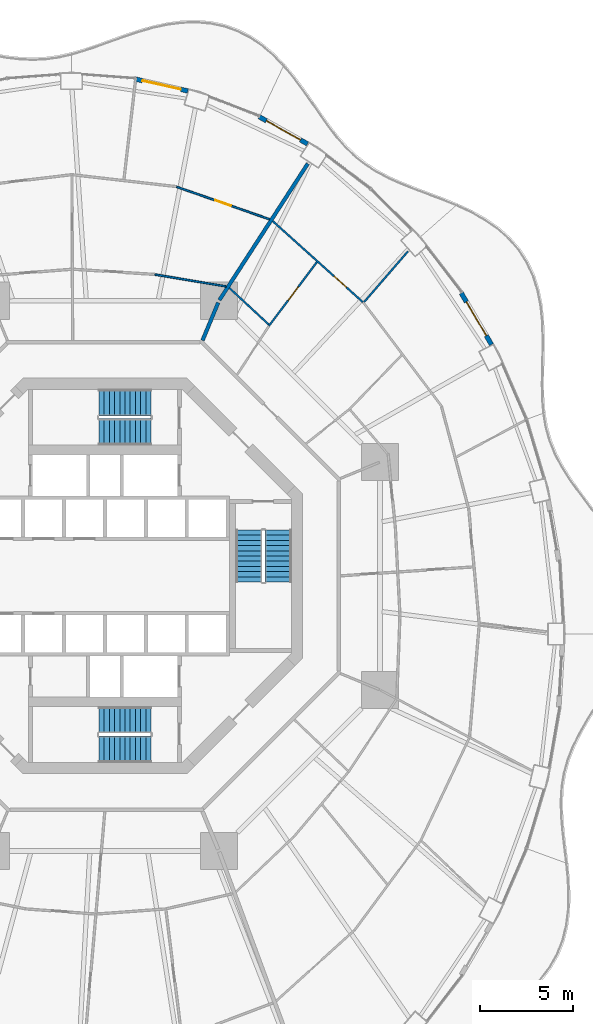
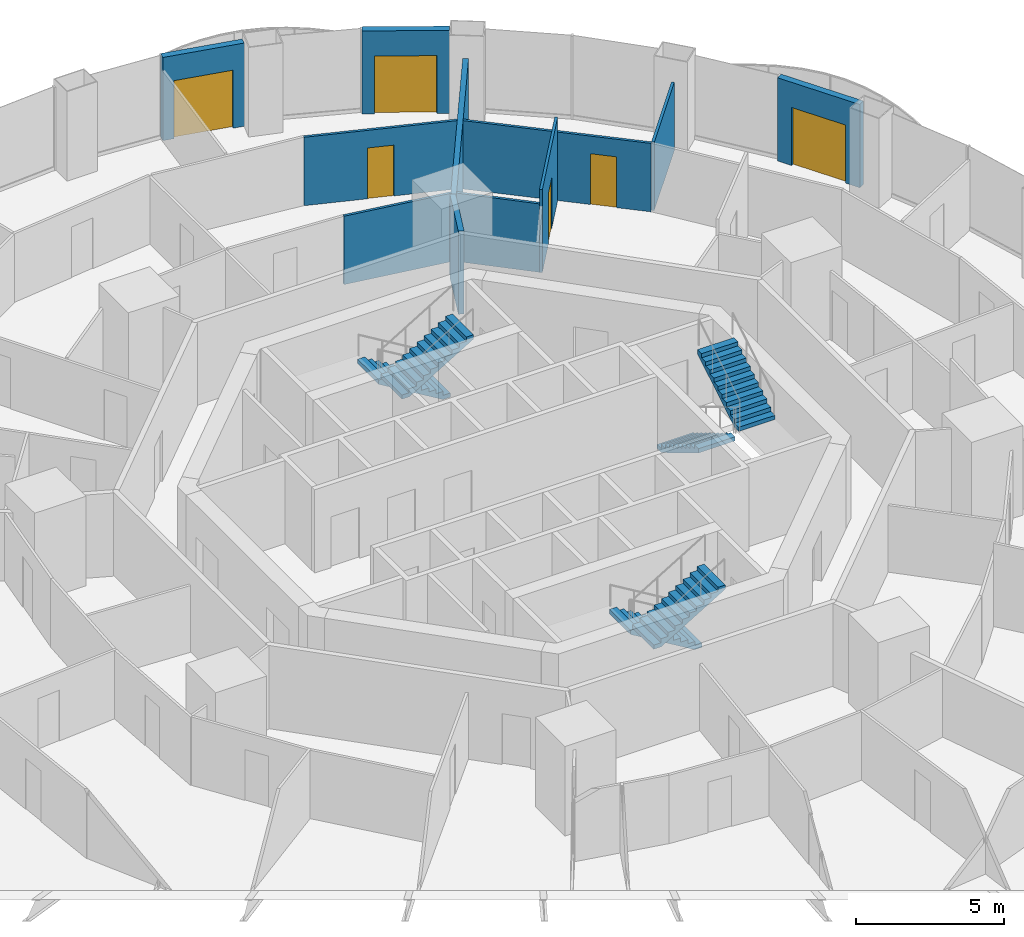
# One storey, part 17 of 20: 11 walls, 6 doors, 6 stair flights, 6 openings, 3 elements without a shape of their own.
"""IFC4 building model written with IfcOpenShell, lengths in metres."""

from ifc_helpers import new_model, si_unit, direction, frame, frame_2d, origin, place, context, subcontext, project, spatial, polyline, rectangle, outline, extrude, material, layer, layer_set, type_object, element, fill, aggregate, save


model = new_model("IFC4")

# Units and contexts
model_context = context("Model", 3, precision=1e-05, world=origin(), true_north=direction((0.0, 1.0)))
body_context = subcontext(model_context, "Body", "Model", "MODEL_VIEW")
ifc_project = project(units=[si_unit("LENGTHUNIT", "METRE"), si_unit("AREAUNIT", "SQUARE_METRE"), si_unit("VOLUMEUNIT", "CUBIC_METRE"), si_unit("PLANEANGLEUNIT", "RADIAN"), si_unit("MASSUNIT", "GRAM", prefix="KILO")], contexts=[model_context])

# Site, building, storey
site_placement = place(None, origin())
site = spatial("IfcSite", under=ifc_project, at=site_placement, CompositionType="ELEMENT")
building_placement = place(site_placement, origin())
building = spatial("IfcBuilding", under=site, at=building_placement, Name="Nagisa Residences", CompositionType="ELEMENT")
storey_placement = place(building_placement, frame((0.0, 0.0, 123.300048828125)))
storey = spatial("IfcBuildingStorey", under=building, at=storey_placement, Name="L30", CompositionType="ELEMENT", Elevation=123.300048828125)

# Walls
ifc_material_1 = material(Name="Gypsum board on steel studs", Category="steel")
ifc_layer_1 = layer(ifc_material_1, 0.199951171875)
ifc_layer_set_1 = layer_set([ifc_layer_1], Name="Apartment compartment wall EI60 200")
wall_type_1 = type_object("IfcWallType", Name="Apartment compartment wall EI60 200", PredefinedType="PARTITIONING", material=ifc_layer_set_1)
wall_1_placement = place(storey_placement, frame((5.24267578125, 12.6572265625, 0.0), z_axis=(0.0, 0.0, 1.0), x_axis=(0.38273085373, 0.923859888513, 0.0)))
element("IfcWall", 1, at=wall_1_placement, inside=storey, type_object=wall_type_1, Name="wall:L30:u00", PredefinedType="PARTITIONING", context=body_context, shape_type="SweptSolid", body=[
    extrude(rectangle(XDim=2.199462890625, YDim=0.199951171875, at=frame_2d((1.099609375, 0.0))), origin(), (0.0, 0.0, 1.0), 3.43994140625),
])
wall_2_placement = place(storey_placement, frame((6.150146484375, 14.823974609375, 0.0), z_axis=(0.0, 0.0, 1.0), x_axis=(0.543695254109, 0.839282711998, 0.0)))
element("IfcWall", 2, at=wall_2_placement, inside=storey, type_object=wall_type_1, Name="wall:L30:u01", PredefinedType="PARTITIONING", context=body_context, shape_type="SweptSolid", body=[
    extrude(rectangle(XDim=8.731201171875, YDim=0.199951171875, at=frame_2d((4.36572265625, 0.0))), origin(), (0.0, 0.0, 1.0), 2.827880859375),
])
ifc_material_2 = material(Name="Gypsum board on steel studs", Category="steel")
ifc_layer_2 = layer(ifc_material_2, 0.10009765625)
ifc_layer_set_2 = layer_set([ifc_layer_2], Name="Apartment partition 100")
wall_type_2 = type_object("IfcWallType", Name="Apartment partition 100", PredefinedType="PARTITIONING", material=ifc_layer_set_2)
wall_3_placement = place(storey_placement, frame((13.926025390625, 14.71875, 0.0), z_axis=(0.0, 0.0, 1.0), x_axis=(0.653831857253, 0.756639876323, 0.0)))
element("IfcWall", 3, at=wall_3_placement, inside=storey, type_object=wall_type_2, Name="wall:L30:u28", PredefinedType="PARTITIONING", context=body_context, shape_type="SweptSolid", body=[
    extrude(rectangle(XDim=3.59765625, YDim=0.10009765625, at=frame_2d((1.798828125, 0.0))), origin(), (0.0, 0.0, 1.0), 2.827880859375),
])

# Wall, opening, door
wall_4_placement = place(storey_placement, frame((13.856201171875, 14.71435546875, 0.0), z_axis=(0.0, 0.0, 1.0), x_axis=(-0.743799395746, 0.668402916577, 0.0)))
wall_4 = element("IfcWall", 4, at=wall_4_placement, inside=storey, type_object=wall_type_2, Name="wall:L30:u29", PredefinedType="PARTITIONING", context=body_context, shape_type="SweptSolid", body=[
    extrude(rectangle(XDim=6.508544921875, YDim=0.10009765625, at=frame_2d((3.25439453125, 0.0))), origin(), (0.0, 0.0, 1.0), 2.827880859375),
])
opening_1_placement = place(wall_4_placement, frame((1.189697265625, 0.0, 0.0)))
opening_1 = element("IfcOpeningElement", 5, at=opening_1_placement, cuts=wall_4, Name="Opening L30-U42", PredefinedType="OPENING", context=body_context, shape_type="SweptSolid", body=[
    extrude(rectangle(XDim=0.89990234375, YDim=2.10009765625, at=frame_2d((0.449951171875, 1.050048828125))), frame((0.0, 0.06005859375, 0.0), z_axis=(0.0, -1.0, 0.0), x_axis=(1.0, 0.0, 0.0)), (0.0, 0.0, 1.0), 0.1201171875),
])
ifc_material_3 = material(Name="Timber door set", Category="wood")
door_type_1 = type_object("IfcDoorType", Name="Apartment door 900x2100", OperationType="NOTDEFINED", PredefinedType="DOOR", material=ifc_material_3)
door_1_placement = place(opening_1_placement, frame((0.89990234375, 0.0, 0.0), x_axis=(-1.0, 0.0, 0.0)))
door_1 = element("IfcDoor", 6, at=door_1_placement, inside=storey, type_object=door_type_1, Name="Door to bedroom, Apartment 30C", OperationType="SINGLE_SWING_LEFT", OverallHeight=2.10009765625, OverallWidth=0.89990234375, PredefinedType="DOOR", context=body_context, shape_type="SweptSolid", body=[
    extrude(rectangle(XDim=0.89990234375, YDim=2.10009765625, at=frame_2d((0.449951171875, 1.050048828125))), frame((0.0, 0.02490234375, 0.0), z_axis=(0.0, -1.0, 0.0), x_axis=(1.0, 0.0, 0.0)), (0.0, 0.0, 1.0), 0.050048828125),
])
fill(opening_1, door_1)

wall_5_placement = place(storey_placement, frame((8.8095703125, 13.43408203125, 0.0), z_axis=(0.0, 0.0, 1.0), x_axis=(0.600491337497, 0.799631261014, 0.0)))
wall_5 = element("IfcWall", 7, at=wall_5_placement, inside=storey, type_object=wall_type_2, Name="wall:L30:u31", PredefinedType="PARTITIONING", context=body_context, shape_type="SweptSolid", body=[
    extrude(rectangle(XDim=4.292236328125, YDim=0.10009765625, at=frame_2d((2.14599609375, 0.0))), origin(), (0.0, 0.0, 1.0), 3.43994140625),
])
opening_2_placement = place(wall_5_placement, frame((1.72119140625, 0.0, 0.0)))
opening_2 = element("IfcOpeningElement", 8, at=opening_2_placement, cuts=wall_5, Name="Opening L30-U39", PredefinedType="OPENING", context=body_context, shape_type="SweptSolid", body=[
    extrude(rectangle(XDim=0.89990234375, YDim=2.10009765625, at=frame_2d((0.449951171875, 1.050048828125))), frame((0.0, 0.06005859375, 0.0), z_axis=(0.0, -1.0, 0.0), x_axis=(1.0, 0.0, 0.0)), (0.0, 0.0, 1.0), 0.1201171875),
])
door_2_placement = place(opening_2_placement, origin())
door_2 = element("IfcDoor", 9, at=door_2_placement, inside=storey, type_object=door_type_1, Name="Door to family bathroom, Apartment 30C", OperationType="SINGLE_SWING_LEFT", OverallHeight=2.10009765625, OverallWidth=0.89990234375, PredefinedType="DOOR", context=body_context, shape_type="SweptSolid", body=[
    extrude(rectangle(XDim=0.89990234375, YDim=2.10009765625, at=frame_2d((0.449951171875, 1.050048828125))), frame((0.0, 0.02490234375, 0.0), z_axis=(0.0, -1.0, 0.0), x_axis=(1.0, 0.0, 0.0)), (0.0, 0.0, 1.0), 0.050048828125),
])
fill(opening_2, door_2)

# Walls
wall_6_placement = place(storey_placement, frame((8.802978515625, 13.508056640625, 0.0), z_axis=(0.0, 0.0, 1.0), x_axis=(-0.733124766325, 0.680094167745, 0.0)))
element("IfcWall", 10, at=wall_6_placement, inside=storey, type_object=wall_type_2, Name="wall:L30:u32", PredefinedType="PARTITIONING", context=body_context, shape_type="SweptSolid", body=[
    extrude(rectangle(XDim=2.886474609375, YDim=0.10009765625, at=frame_2d((1.443359375, 0.0))), origin(), (0.0, 0.0, 1.0), 2.827880859375),
])
wall_7_placement = place(storey_placement, frame((6.5146484375, 15.5556640625, 0.0), z_axis=(0.0, 0.0, 1.0), x_axis=(-0.986271328884, 0.16513287323, 0.0)))
element("IfcWall", 11, at=wall_7_placement, inside=storey, type_object=wall_type_2, Name="wall:L30:u33", PredefinedType="PARTITIONING", context=body_context, shape_type="SweptSolid", body=[
    extrude(rectangle(XDim=3.8837890625, YDim=0.10009765625, at=frame_2d((1.94189453125, 0.0))), origin(), (0.0, 0.0, 1.0), 2.827880859375),
])

# Wall, opening, door
wall_8_placement = place(storey_placement, frame((8.84619140625, 19.16455078125, 0.0), z_axis=(0.0, 0.0, 1.0), x_axis=(-0.944186503813, 0.329411362915, 0.0)))
wall_8 = element("IfcWall", 12, at=wall_8_placement, inside=storey, type_object=wall_type_2, Name="wall:L30:u34", PredefinedType="PARTITIONING", context=body_context, shape_type="SweptSolid", body=[
    extrude(rectangle(XDim=5.293212890625, YDim=0.10009765625, at=frame_2d((2.646484375, 0.0))), origin(), (0.0, 0.0, 1.0), 2.827880859375),
])
opening_3_placement = place(wall_8_placement, frame((2.196533203125, 0.0, 0.0)))
opening_3 = element("IfcOpeningElement", 13, at=opening_3_placement, cuts=wall_8, Name="Opening L30-U12", PredefinedType="OPENING", context=body_context, shape_type="SweptSolid", body=[
    extrude(rectangle(XDim=0.89990234375, YDim=2.10009765625, at=frame_2d((0.449951171875, 1.050048828125))), frame((0.0, 0.06005859375, 0.0), z_axis=(0.0, -1.0, 0.0), x_axis=(1.0, 0.0, 0.0)), (0.0, 0.0, 1.0), 0.1201171875),
])
door_3_placement = place(opening_3_placement, frame((0.89990234375, 0.0, 0.0), x_axis=(-1.0, 0.0, 0.0)))
door_3 = element("IfcDoor", 14, at=door_3_placement, inside=storey, type_object=door_type_1, Name="Door to living room, Apartment 30A", OperationType="SINGLE_SWING_LEFT", OverallHeight=2.10009765625, OverallWidth=0.89990234375, PredefinedType="DOOR", context=body_context, shape_type="SweptSolid", body=[
    extrude(rectangle(XDim=0.89990234375, YDim=2.10009765625, at=frame_2d((0.449951171875, 1.050048828125))), frame((0.0, 0.02490234375, 0.0), z_axis=(0.0, -1.0, 0.0), x_axis=(1.0, 0.0, 0.0)), (0.0, 0.0, 1.0), 0.050048828125),
])
fill(opening_3, door_3)

ifc_material_4 = material(Name="Precast concrete C40/50", Category="concrete")
ifc_layer_3 = layer(ifc_material_4, 0.25)
ifc_layer_set_3 = layer_set([ifc_layer_3], Name="BALCONY DOOR WALL 250")
wall_type_3 = type_object("IfcWallType", Name="BALCONY DOOR WALL 250", PredefinedType="SOLIDWALL", material=ifc_layer_set_3)
wall_9_placement = place(storey_placement, frame((19.143798828125, 15.20068359375, 0.0), z_axis=(0.0, 0.0, 1.0), x_axis=(0.506314982873, -0.862348617508, 0.0)))
wall_9 = element("IfcWall", 15, at=wall_9_placement, inside=storey, type_object=wall_type_3, Name="wall:L30:bay04", PredefinedType="SOLIDWALL", context=body_context, shape_type="SweptSolid", body=[
    extrude(rectangle(XDim=3.20849609375, YDim=0.25, at=frame_2d((1.604248046875, 0.0))), origin(), (0.0, 0.0, 1.0), 3.43994140625),
])
opening_4_placement = place(wall_9_placement, frame((0.55419921875, 0.0, 0.0)))
opening_4 = element("IfcOpeningElement", 16, at=opening_4_placement, cuts=wall_9, Name="Opening BD-L30-02", PredefinedType="OPENING", context=body_context, shape_type="SweptSolid", body=[
    extrude(rectangle(XDim=2.10009765625, YDim=2.39990234375, at=frame_2d((1.050048828125, 1.199951171875))), frame((0.0, 0.135009765625, 0.0), z_axis=(0.0, -1.0, 0.0), x_axis=(1.0, 0.0, 0.0)), (0.0, 0.0, 1.0), 0.27001953125),
])
ifc_material_5 = material(Name="Aluminium and clear glass", Category="aluminium")
door_type_2 = type_object("IfcDoorType", Name="BALCONY SLIDING DOOR 2100x2400", OperationType="SLIDING_TO_LEFT", PredefinedType="DOOR", material=ifc_material_5)
door_4_placement = place(opening_4_placement, origin())
door_4 = element("IfcDoor", 17, at=door_4_placement, inside=storey, type_object=door_type_2, Name="door:L30:bay04", OperationType="SLIDING_TO_LEFT", OverallHeight=2.39990234375, OverallWidth=2.10009765625, PredefinedType="DOOR", context=body_context, shape_type="SweptSolid", body=[
    extrude(rectangle(XDim=2.10009765625, YDim=2.39990234375, at=frame_2d((1.050048828125, 1.199951171875))), frame((0.0, 0.02490234375, 0.0), z_axis=(0.0, -1.0, 0.0), x_axis=(1.0, 0.0, 0.0)), (0.0, 0.0, 1.0), 0.050048828125),
])
fill(opening_4, door_4)

wall_10_placement = place(storey_placement, frame((8.293212890625, 24.669921875, 0.0), z_axis=(0.0, 0.0, 1.0), x_axis=(0.87206688547, -0.489386705241, 0.0)))
wall_10 = element("IfcWall", 18, at=wall_10_placement, inside=storey, type_object=wall_type_3, Name="wall:L30:bay08", PredefinedType="SOLIDWALL", context=body_context, shape_type="SweptSolid", body=[
    extrude(rectangle(XDim=2.9697265625, YDim=0.25, at=frame_2d((1.48486328125, 0.0))), origin(), (0.0, 0.0, 1.0), 3.43994140625),
])
opening_5_placement = place(wall_10_placement, frame((0.434814453125, 0.0, 0.0)))
opening_5 = element("IfcOpeningElement", 19, at=opening_5_placement, cuts=wall_10, Name="Opening BD-L30-03", PredefinedType="OPENING", context=body_context, shape_type="SweptSolid", body=[
    extrude(rectangle(XDim=2.10009765625, YDim=2.39990234375, at=frame_2d((1.050048828125, 1.199951171875))), frame((0.0, 0.135009765625, 0.0), z_axis=(0.0, -1.0, 0.0), x_axis=(1.0, 0.0, 0.0)), (0.0, 0.0, 1.0), 0.27001953125),
])
door_5_placement = place(opening_5_placement, origin())
door_5 = element("IfcDoor", 20, at=door_5_placement, inside=storey, type_object=door_type_2, Name="door:L30:bay08", OperationType="SLIDING_TO_LEFT", OverallHeight=2.39990234375, OverallWidth=2.10009765625, PredefinedType="DOOR", context=body_context, shape_type="SweptSolid", body=[
    extrude(rectangle(XDim=2.10009765625, YDim=2.39990234375, at=frame_2d((1.050048828125, 1.199951171875))), frame((0.0, 0.02490234375, 0.0), z_axis=(0.0, -1.0, 0.0), x_axis=(1.0, 0.0, 0.0)), (0.0, 0.0, 1.0), 0.050048828125),
])
fill(opening_5, door_5)

wall_11_placement = place(storey_placement, frame((1.635986328125, 26.697021484375, 0.0), z_axis=(0.0, 0.0, 1.0), x_axis=(0.975339035722, -0.220711951186, 0.0)))
wall_11 = element("IfcWall", 21, at=wall_11_placement, inside=storey, type_object=wall_type_3, Name="wall:L30:bay10", PredefinedType="SOLIDWALL", context=body_context, shape_type="SweptSolid", body=[
    extrude(rectangle(XDim=2.890380859375, YDim=0.25, at=frame_2d((1.4453125, 0.0))), origin(), (0.0, 0.0, 1.0), 3.43994140625),
])
opening_6_placement = place(wall_11_placement, frame((0.395263671875, 0.0, 0.0)))
opening_6 = element("IfcOpeningElement", 22, at=opening_6_placement, cuts=wall_11, Name="Opening BD-L30-04", PredefinedType="OPENING", context=body_context, shape_type="SweptSolid", body=[
    extrude(rectangle(XDim=2.10009765625, YDim=2.39990234375, at=frame_2d((1.050048828125, 1.199951171875))), frame((0.0, 0.135009765625, 0.0), z_axis=(0.0, -1.0, 0.0), x_axis=(1.0, 0.0, 0.0)), (0.0, 0.0, 1.0), 0.27001953125),
])
door_6_placement = place(opening_6_placement, origin())
door_6 = element("IfcDoor", 23, at=door_6_placement, inside=storey, type_object=door_type_2, Name="door:L30:bay10", OperationType="SLIDING_TO_LEFT", OverallHeight=2.39990234375, OverallWidth=2.10009765625, PredefinedType="DOOR", context=body_context, shape_type="SweptSolid", body=[
    extrude(rectangle(XDim=2.10009765625, YDim=2.39990234375, at=frame_2d((1.050048828125, 1.199951171875))), frame((0.0, 0.02490234375, 0.0), z_axis=(0.0, -1.0, 0.0), x_axis=(1.0, 0.0, 0.0)), (0.0, 0.0, 1.0), 0.050048828125),
])
fill(opening_6, door_6)

# Stair, stair flights
ifc_material_6 = material(Name="Concrete C60", Category="concrete")
stair_type = type_object("IfcStairType", Name="Exit stair", PredefinedType="HALF_TURN_STAIR", material=ifc_material_6)
stair_1_placement = place(storey_placement, origin())
stair_1 = element("IfcStair", 24, at=stair_1_placement, inside=storey, type_object=stair_type, Name="L30 Exit stair E", PredefinedType="HALF_TURN_STAIR")
ifc_material_7 = material(Name="Concrete C60", Category="concrete")
stair_flight_type = type_object("IfcStairFlightType", Name="Exit stair flight", PredefinedType="STRAIGHT", material=ifc_material_7)
stair_flight_1_placement = place(storey_placement, frame((7.737060546875, 2.47509765625, 0.0), z_axis=(0.0, 0.0, 1.0), x_axis=(0.0, -1.0, 0.0)))
stair_flight_1 = element("IfcStairFlight", 25, at=stair_flight_1_placement, type_object=stair_flight_type, Name="ST-E flight 1", NumberOfRisers=11, NumberOfTreads=10, PredefinedType="STRAIGHT", RiserHeight=0.168181818, TreadLength=0.28, context=body_context, shape_type="SweptSolid", body=[
    extrude(outline(polyline([(0.0, 0.0), (0.0, 0.168212890625), (0.280029296875, 0.168212890625), (0.280029296875, 0.33642578125), (0.56005859375, 0.33642578125), (0.56005859375, 0.504638671875), (0.840087890625, 0.504638671875), (0.840087890625, 0.672607421875), (1.1201171875, 0.672607421875), (1.1201171875, 0.8408203125), (1.39990234375, 0.8408203125), (1.39990234375, 1.009033203125), (1.679931640625, 1.009033203125), (1.679931640625, 1.17724609375), (1.9599609375, 1.17724609375), (1.9599609375, 1.345458984375), (2.239990234375, 1.345458984375), (2.239990234375, 1.513671875), (2.52001953125, 1.513671875), (2.52001953125, 1.681884765625), (2.800048828125, 1.681884765625), (2.800048828125, 1.85009765625), (2.800048828125, 1.5068359375), (0.291015625, 0.0), (0.0, 0.0)])), frame((0.0, 0.71240234375, 0.0), z_axis=(0.0, -1.0, 0.0), x_axis=(1.0, 0.0, 0.0)), (0.0, 0.0, 1.0), 1.425048828125),
])
stair_flight_2_placement = place(storey_placement, frame((9.31201171875, -0.324951171875, 1.849853515625), z_axis=(0.0, 0.0, 1.0), x_axis=(0.0, 1.0, 0.0)))
stair_flight_2 = element("IfcStairFlight", 26, at=stair_flight_2_placement, type_object=stair_flight_type, Name="ST-E flight 2", NumberOfRisers=11, NumberOfTreads=10, PredefinedType="STRAIGHT", RiserHeight=0.168181818, TreadLength=0.28, context=body_context, shape_type="SweptSolid", body=[
    extrude(outline(polyline([(0.0, 0.0), (0.0, 0.168212890625), (0.280029296875, 0.168212890625), (0.280029296875, 0.33642578125), (0.56005859375, 0.33642578125), (0.56005859375, 0.504638671875), (0.840087890625, 0.504638671875), (0.840087890625, 0.672607421875), (1.1201171875, 0.672607421875), (1.1201171875, 0.8408203125), (1.39990234375, 0.8408203125), (1.39990234375, 1.009033203125), (1.679931640625, 1.009033203125), (1.679931640625, 1.17724609375), (1.9599609375, 1.17724609375), (1.9599609375, 1.345458984375), (2.239990234375, 1.345458984375), (2.239990234375, 1.513671875), (2.52001953125, 1.513671875), (2.52001953125, 1.681884765625), (2.800048828125, 1.681884765625), (2.800048828125, 1.85009765625), (2.800048828125, 1.5068359375), (0.291015625, 0.0), (0.0, 0.0)])), frame((0.0, 0.71240234375, 0.0), z_axis=(0.0, -1.0, 0.0), x_axis=(1.0, 0.0, 0.0)), (0.0, 0.0, 1.0), 1.425048828125),
])
aggregate(stair_1, [stair_flight_1, stair_flight_2])

stair_2_placement = place(storey_placement, origin())
stair_2 = element("IfcStair", 27, at=stair_2_placement, inside=storey, type_object=stair_type, Name="L30 Exit stair N", PredefinedType="HALF_TURN_STAIR")
stair_flight_3_placement = place(storey_placement, frame((2.47509765625, 9.31201171875, 0.0), z_axis=(0.0, 0.0, 1.0), x_axis=(-1.0, 0.0, 0.0)))
stair_flight_3 = element("IfcStairFlight", 28, at=stair_flight_3_placement, type_object=stair_flight_type, Name="ST-N flight 1", NumberOfRisers=11, NumberOfTreads=10, PredefinedType="STRAIGHT", RiserHeight=0.168181818, TreadLength=0.28, context=body_context, shape_type="SweptSolid", body=[
    extrude(outline(polyline([(0.0, 0.0), (0.0, 0.168212890625), (0.280029296875, 0.168212890625), (0.280029296875, 0.33642578125), (0.56005859375, 0.33642578125), (0.56005859375, 0.504638671875), (0.840087890625, 0.504638671875), (0.840087890625, 0.672607421875), (1.1201171875, 0.672607421875), (1.1201171875, 0.8408203125), (1.39990234375, 0.8408203125), (1.39990234375, 1.009033203125), (1.679931640625, 1.009033203125), (1.679931640625, 1.17724609375), (1.9599609375, 1.17724609375), (1.9599609375, 1.345458984375), (2.239990234375, 1.345458984375), (2.239990234375, 1.513671875), (2.52001953125, 1.513671875), (2.52001953125, 1.681884765625), (2.800048828125, 1.681884765625), (2.800048828125, 1.85009765625), (2.800048828125, 1.5068359375), (0.291015625, 0.0), (0.0, 0.0)])), frame((0.0, 0.71240234375, 0.0), z_axis=(0.0, -1.0, 0.0), x_axis=(1.0, 0.0, 0.0)), (0.0, 0.0, 1.0), 1.425048828125),
])
stair_flight_4_placement = place(storey_placement, frame((-0.324951171875, 7.737060546875, 1.849853515625), z_axis=(0.0, 0.0, 1.0), x_axis=(1.0, 0.0, 0.0)))
stair_flight_4 = element("IfcStairFlight", 29, at=stair_flight_4_placement, type_object=stair_flight_type, Name="ST-N flight 2", NumberOfRisers=11, NumberOfTreads=10, PredefinedType="STRAIGHT", RiserHeight=0.168181818, TreadLength=0.28, context=body_context, shape_type="SweptSolid", body=[
    extrude(outline(polyline([(0.0, 0.0), (0.0, 0.168212890625), (0.280029296875, 0.168212890625), (0.280029296875, 0.33642578125), (0.56005859375, 0.33642578125), (0.56005859375, 0.504638671875), (0.840087890625, 0.504638671875), (0.840087890625, 0.672607421875), (1.1201171875, 0.672607421875), (1.1201171875, 0.8408203125), (1.39990234375, 0.8408203125), (1.39990234375, 1.009033203125), (1.679931640625, 1.009033203125), (1.679931640625, 1.17724609375), (1.9599609375, 1.17724609375), (1.9599609375, 1.345458984375), (2.239990234375, 1.345458984375), (2.239990234375, 1.513671875), (2.52001953125, 1.513671875), (2.52001953125, 1.681884765625), (2.800048828125, 1.681884765625), (2.800048828125, 1.85009765625), (2.800048828125, 1.5068359375), (0.291015625, 0.0), (0.0, 0.0)])), frame((0.0, 0.71240234375, 0.0), z_axis=(0.0, -1.0, 0.0), x_axis=(1.0, 0.0, 0.0)), (0.0, 0.0, 1.0), 1.425048828125),
])
aggregate(stair_2, [stair_flight_3, stair_flight_4])

stair_3_placement = place(storey_placement, origin())
stair_3 = element("IfcStair", 30, at=stair_3_placement, inside=storey, type_object=stair_type, Name="L30 Exit stair S", PredefinedType="HALF_TURN_STAIR")
stair_flight_5_placement = place(storey_placement, frame((2.47509765625, -7.737060546875, 0.0), z_axis=(0.0, 0.0, 1.0), x_axis=(-1.0, 0.0, 0.0)))
stair_flight_5 = element("IfcStairFlight", 31, at=stair_flight_5_placement, type_object=stair_flight_type, Name="ST-S flight 1", NumberOfRisers=11, NumberOfTreads=10, PredefinedType="STRAIGHT", RiserHeight=0.168181818, TreadLength=0.28, context=body_context, shape_type="SweptSolid", body=[
    extrude(outline(polyline([(0.0, 0.0), (0.0, 0.168212890625), (0.280029296875, 0.168212890625), (0.280029296875, 0.33642578125), (0.56005859375, 0.33642578125), (0.56005859375, 0.504638671875), (0.840087890625, 0.504638671875), (0.840087890625, 0.672607421875), (1.1201171875, 0.672607421875), (1.1201171875, 0.8408203125), (1.39990234375, 0.8408203125), (1.39990234375, 1.009033203125), (1.679931640625, 1.009033203125), (1.679931640625, 1.17724609375), (1.9599609375, 1.17724609375), (1.9599609375, 1.345458984375), (2.239990234375, 1.345458984375), (2.239990234375, 1.513671875), (2.52001953125, 1.513671875), (2.52001953125, 1.681884765625), (2.800048828125, 1.681884765625), (2.800048828125, 1.85009765625), (2.800048828125, 1.5068359375), (0.291015625, 0.0), (0.0, 0.0)])), frame((0.0, 0.71240234375, 0.0), z_axis=(0.0, -1.0, 0.0), x_axis=(1.0, 0.0, 0.0)), (0.0, 0.0, 1.0), 1.425048828125),
])
stair_flight_6_placement = place(storey_placement, frame((-0.324951171875, -9.31201171875, 1.849853515625), z_axis=(0.0, 0.0, 1.0), x_axis=(1.0, 0.0, 0.0)))
stair_flight_6 = element("IfcStairFlight", 32, at=stair_flight_6_placement, type_object=stair_flight_type, Name="ST-S flight 2", NumberOfRisers=11, NumberOfTreads=10, PredefinedType="STRAIGHT", RiserHeight=0.168181818, TreadLength=0.28, context=body_context, shape_type="SweptSolid", body=[
    extrude(outline(polyline([(0.0, 0.0), (0.0, 0.168212890625), (0.280029296875, 0.168212890625), (0.280029296875, 0.33642578125), (0.56005859375, 0.33642578125), (0.56005859375, 0.504638671875), (0.840087890625, 0.504638671875), (0.840087890625, 0.672607421875), (1.1201171875, 0.672607421875), (1.1201171875, 0.8408203125), (1.39990234375, 0.8408203125), (1.39990234375, 1.009033203125), (1.679931640625, 1.009033203125), (1.679931640625, 1.17724609375), (1.9599609375, 1.17724609375), (1.9599609375, 1.345458984375), (2.239990234375, 1.345458984375), (2.239990234375, 1.513671875), (2.52001953125, 1.513671875), (2.52001953125, 1.681884765625), (2.800048828125, 1.681884765625), (2.800048828125, 1.85009765625), (2.800048828125, 1.5068359375), (0.291015625, 0.0), (0.0, 0.0)])), frame((0.0, 0.71240234375, 0.0), z_axis=(0.0, -1.0, 0.0), x_axis=(1.0, 0.0, 0.0)), (0.0, 0.0, 1.0), 1.425048828125),
])
aggregate(stair_3, [stair_flight_5, stair_flight_6])

save(model, "model.ifc")
